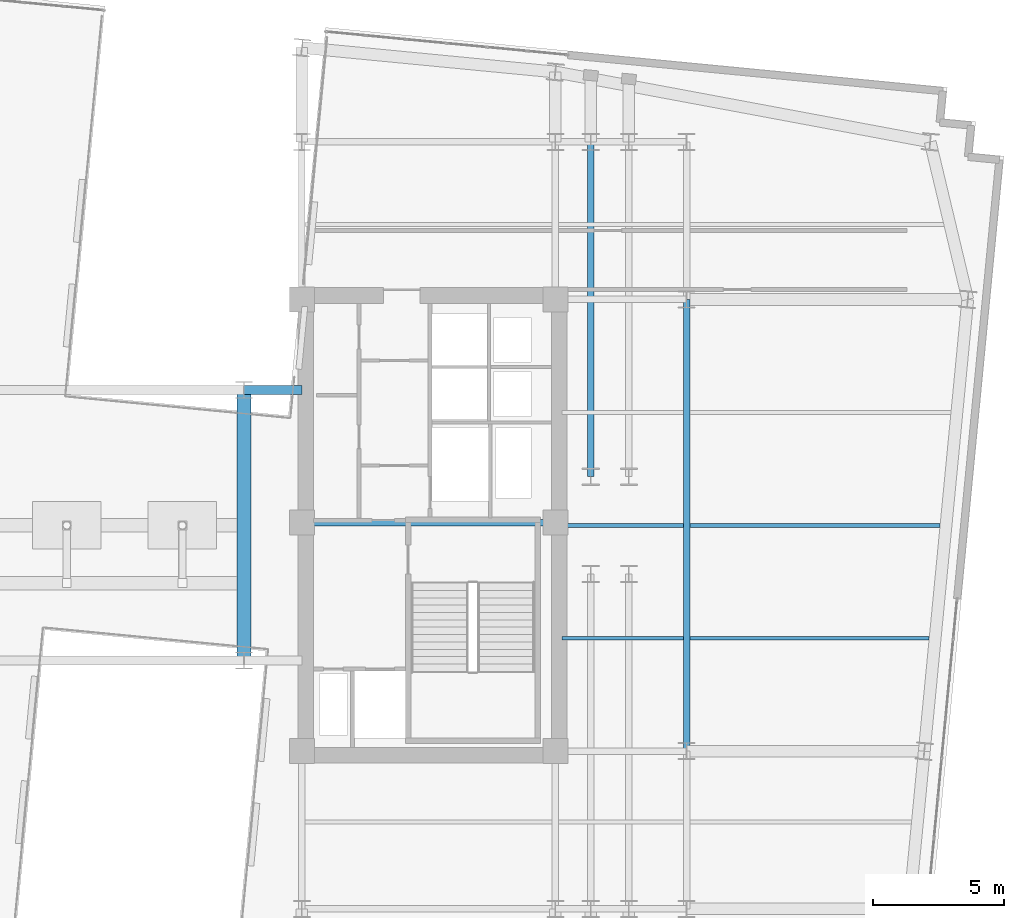
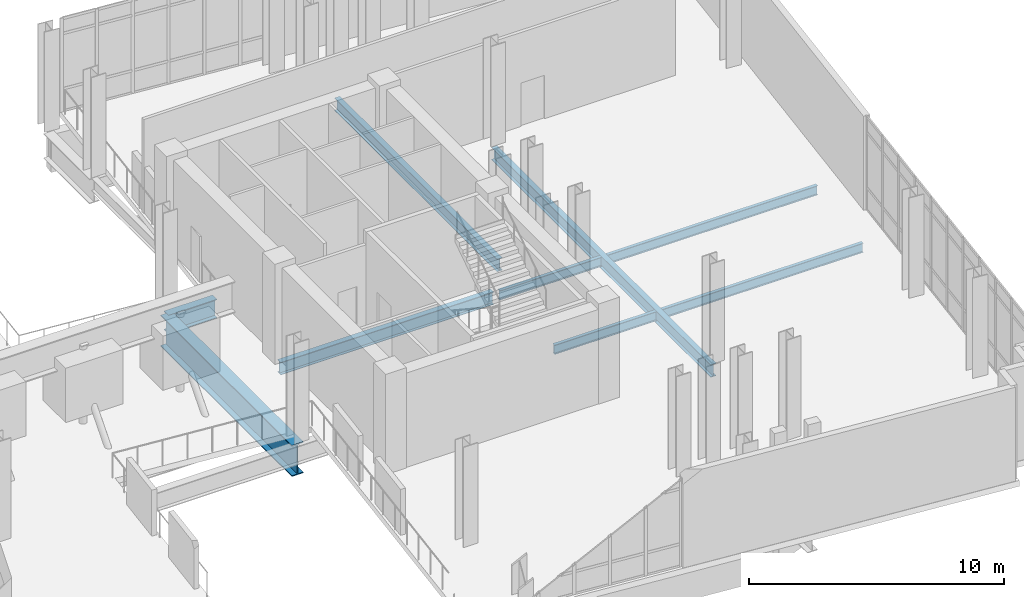
# One storey, part 6 of 16: 9 beams.
"""IFC4 building model written with IfcOpenShell, lengths in metres."""

from ifc_helpers import new_model, si_unit, direction, frame, origin, origin_2d, place, context, subcontext, project, spatial, i_section, extrude, material, material_profile, profile_set, type_object, element, save


model = new_model("IFC4")

# Units and contexts
model_context = context("Model", 3, precision=1e-05, world=origin(), true_north=direction((0.0, 1.0)))
body_context = subcontext(model_context, "Body", "Model", "MODEL_VIEW")
ifc_project = project(units=[si_unit("LENGTHUNIT", "METRE"), si_unit("AREAUNIT", "SQUARE_METRE"), si_unit("VOLUMEUNIT", "CUBIC_METRE"), si_unit("PLANEANGLEUNIT", "RADIAN"), si_unit("MASSUNIT", "GRAM", prefix="KILO")], contexts=[model_context])

# Site, building, storey
site_placement = place(None, origin())
site = spatial("IfcSite", under=ifc_project, at=site_placement, CompositionType="ELEMENT")
building_placement = place(site_placement, origin())
building = spatial("IfcBuilding", under=site, at=building_placement, Name="Velakula Bourse", CompositionType="ELEMENT")
storey_placement = place(building_placement, frame((0.0, 0.0, 199.5)))
storey = spatial("IfcBuildingStorey", under=building, at=storey_placement, Name="L54", CompositionType="ELEMENT", Elevation=199.5)

# Beams
ifc_material_1 = material(Name="Steel IS 2062 Grade 350 (E350)", Category="steel")
ifc_material_profile_1 = material_profile(ifc_material_1, i_section(OverallWidth=0.25, OverallDepth=0.60009765625, WebThickness=0.01123046875, FlangeThickness=0.021240234375, at=origin_2d()), Name="Steel IS 2062 Grade 350 (E350)")
ifc_profile_set_1 = profile_set([ifc_material_profile_1], Name="Steel IS 2062 Grade 350 (E350)")
beam_type_1 = type_object("IfcBeamType", Name="BM-GRD-600M", PredefinedType="BEAM", material=ifc_profile_set_1)
beam_1_placement = place(storey_placement, frame((8.949951171875, 0.10009765625, -0.580078125), z_axis=(1.0, 0.0, 0.0), x_axis=(0.0, 1.0, 0.0)))
element("IfcBeam", 1, at=beam_1_placement, inside=storey, type_object=beam_type_1, Name="L54 Primary Backbone Girder CRE-M", PredefinedType="BEAM", context=body_context, shape_type="SweptSolid", body=[
    extrude(i_section(OverallWidth=0.25, OverallDepth=0.60009765625, WebThickness=0.01123046875, FlangeThickness=0.021240234375, at=origin_2d()), origin(), (0.0, 0.0, 1.0), 9.650146484375),
])
beam_2_placement = place(storey_placement, frame((19.949951171875, 1.85009765625, -0.580078125), z_axis=(0.0, 1.0, 0.0), x_axis=(-1.0, 0.0, 0.0)))
element("IfcBeam", 2, at=beam_2_placement, inside=storey, type_object=beam_type_1, Name="L54 Fulcrum Grid Girder FLC-PNE1", PredefinedType="BEAM", context=body_context, shape_type="SweptSolid", body=[
    extrude(i_section(OverallWidth=0.25, OverallDepth=0.60009765625, WebThickness=0.01123046875, FlangeThickness=0.021240234375, at=origin_2d()), origin(), (0.0, 0.0, 1.0), 12.75),
])
beam_3_placement = place(storey_placement, frame((23.60009765625, -8.60009765625, -0.580078125), z_axis=(0.0, 1.0, 0.0), x_axis=(-1.0, 0.0, 0.0)))
element("IfcBeam", 3, at=beam_3_placement, inside=storey, type_object=beam_type_1, Name="L54 Fulcrum Grid Girder MWG-ENS2", PredefinedType="BEAM", context=body_context, shape_type="SweptSolid", body=[
    extrude(i_section(OverallWidth=0.25, OverallDepth=0.60009765625, WebThickness=0.01123046875, FlangeThickness=0.021240234375, at=origin_2d()), origin(), (0.0, 0.0, 1.0), 17.2001953125),
])
ifc_material_profile_2 = material_profile(ifc_material_1, i_section(OverallWidth=0.35009765625, OverallDepth=0.89990234375, WebThickness=0.02001953125, FlangeThickness=0.031982421875, at=origin_2d()), Name="Steel IS 2062 Grade 350 (E350)")
ifc_profile_set_2 = profile_set([ifc_material_profile_2], Name="Steel IS 2062 Grade 350 (E350)")
beam_type_2 = type_object("IfcBeamType", Name="BM-LNK-900", PredefinedType="BEAM", material=ifc_profile_set_2)
beam_4_placement = place(storey_placement, frame((6.75, 5.14990234375, -0.72998046875), z_axis=(1.0, 0.0, 0.0), x_axis=(0.0, 1.0, 0.0)))
element("IfcBeam", 4, at=beam_4_placement, inside=storey, type_object=beam_type_2, Name="L54 Primary Backbone Girder LNK-N3", PredefinedType="BEAM", context=body_context, shape_type="SweptSolid", body=[
    extrude(i_section(OverallWidth=0.35009765625, OverallDepth=0.89990234375, WebThickness=0.02001953125, FlangeThickness=0.031982421875, at=origin_2d()), origin(), (0.0, 0.0, 1.0), 2.199951171875),
])
ifc_material_profile_3 = material_profile(ifc_material_1, i_section(OverallWidth=0.14990234375, OverallDepth=0.449951171875, WebThickness=0.009521484375, FlangeThickness=0.017333984375, at=origin_2d()), Name="Steel IS 2062 Grade 350 (E350)")
ifc_profile_set_3 = profile_set([ifc_material_profile_3], Name="Steel IS 2062 Grade 350 (E350)")
beam_type_3 = type_object("IfcBeamType", Name="JST-TWR-450", PredefinedType="JOIST", material=ifc_profile_set_3)
beam_5_placement = place(storey_placement, frame((18.85009765625, -4.300048828125, -0.5048828125), z_axis=(1.0, 0.0, 0.0), x_axis=(0.0, 1.0, 0.0)))
element("IfcBeam", 5, at=beam_5_placement, inside=storey, type_object=beam_type_3, Name="L54 Trading Floor Composite Joist 19", PredefinedType="JOIST", context=body_context, shape_type="SweptSolid", body=[
    extrude(i_section(OverallWidth=0.14990234375, OverallDepth=0.449951171875, WebThickness=0.009521484375, FlangeThickness=0.017333984375, at=origin_2d()), origin(), (0.0, 0.0, 1.0), 4.625),
])
beam_6_placement = place(storey_placement, frame((23.72509765625, -4.300048828125, -0.5048828125), z_axis=(1.0, 0.0, 0.0), x_axis=(0.0, 1.0, 0.0)))
element("IfcBeam", 6, at=beam_6_placement, inside=storey, type_object=beam_type_3, Name="L54 Trading Floor Composite Joist 20", PredefinedType="JOIST", context=body_context, shape_type="SweptSolid", body=[
    extrude(i_section(OverallWidth=0.14990234375, OverallDepth=0.449951171875, WebThickness=0.009521484375, FlangeThickness=0.017333984375, at=origin_2d()), origin(), (0.0, 0.0, 1.0), 9.11181640625),
])
beam_7_placement = place(storey_placement, frame((18.85009765625, 0.0, -0.5048828125), z_axis=(1.0, 0.0, 0.0), x_axis=(0.0, 1.0, 0.0)))
element("IfcBeam", 7, at=beam_7_placement, inside=storey, type_object=beam_type_3, Name="L54 Trading Floor Composite Joist 23", PredefinedType="JOIST", context=body_context, shape_type="SweptSolid", body=[
    extrude(i_section(OverallWidth=0.14990234375, OverallDepth=0.449951171875, WebThickness=0.009521484375, FlangeThickness=0.017333984375, at=origin_2d()), origin(), (0.0, 0.0, 1.0), 4.625),
])
beam_8_placement = place(storey_placement, frame((23.72509765625, 0.0, -0.5048828125), z_axis=(1.0, 0.0, 0.0), x_axis=(0.0, 1.0, 0.0)))
element("IfcBeam", 8, at=beam_8_placement, inside=storey, type_object=beam_type_3, Name="L54 Trading Floor Composite Joist 24", PredefinedType="JOIST", context=body_context, shape_type="SweptSolid", body=[
    extrude(i_section(OverallWidth=0.14990234375, OverallDepth=0.449951171875, WebThickness=0.009521484375, FlangeThickness=0.017333984375, at=origin_2d()), origin(), (0.0, 0.0, 1.0), 9.52587890625),
])
ifc_material_2 = material(Name="Steel IS 2062 Grade 450 (E450)", Category="steel")
ifc_material_profile_4 = material_profile(ifc_material_2, i_section(OverallWidth=0.52001953125, OverallDepth=1.5, WebThickness=0.030029296875, FlangeThickness=0.048095703125, at=origin_2d()), Name="Steel IS 2062 Grade 450 (E450)")
ifc_profile_set_4 = profile_set([ifc_material_profile_4], Name="Steel IS 2062 Grade 450 (E450)")
beam_type_4 = type_object("IfcBeamType", Name="TB-CANT-1500", PredefinedType="BEAM", material=ifc_profile_set_4)
beam_9_placement = place(storey_placement, frame((6.75, -5.14990234375, -1.030029296875), z_axis=(0.0, 1.0, 0.0), x_axis=(-1.0, 0.0, 0.0)))
element("IfcBeam", 9, at=beam_9_placement, inside=storey, type_object=beam_type_4, Name="L54 Primary Backbone Girder SPN-E", PredefinedType="BEAM", context=body_context, shape_type="SweptSolid", body=[
    extrude(i_section(OverallWidth=0.52001953125, OverallDepth=1.5, WebThickness=0.030029296875, FlangeThickness=0.048095703125, at=origin_2d()), origin(), (0.0, 0.0, 1.0), 10.2998046875),
])

save(model, "model.ifc")
